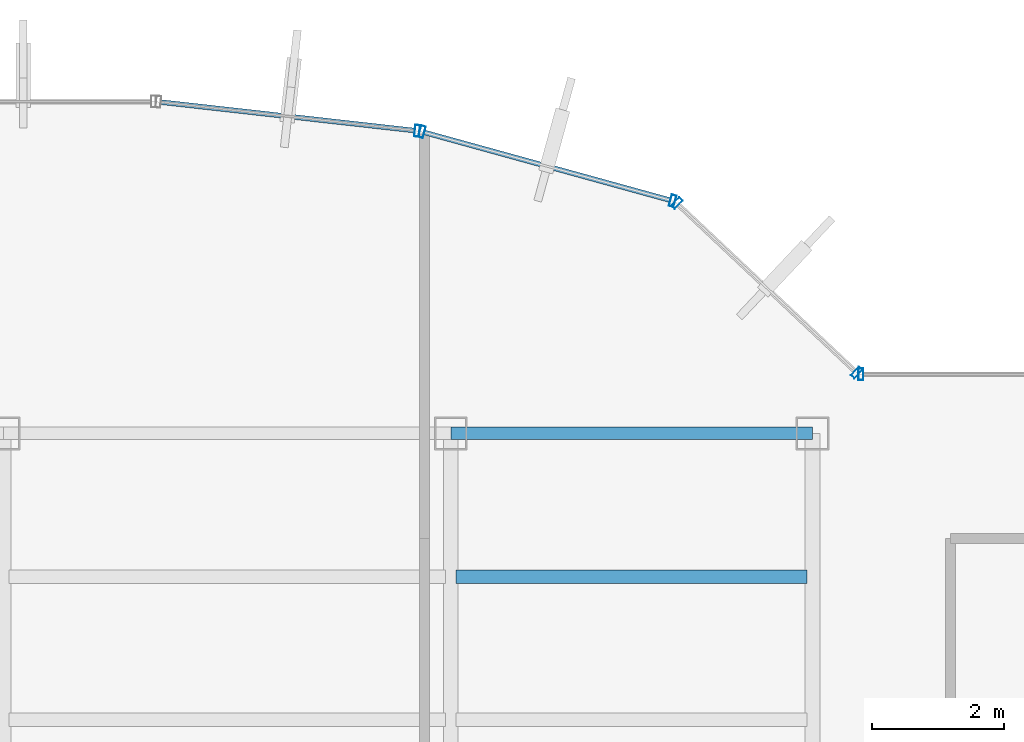
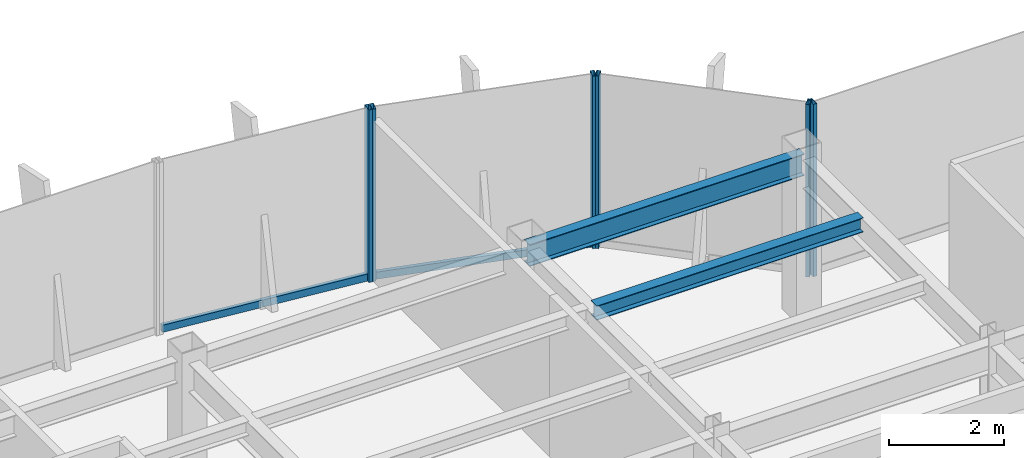
# One storey, part 14 of 22: 8 members, 2 beams, 4 elements without a shape of their own.
"""IFC4 building model written with IfcOpenShell, lengths in metres."""

import ifcopenshell
import ifcopenshell.guid

model = None  # the IFC model being written
_history = None  # IfcOwnerHistory: only IFC2X3 demands one
_inside = {}  # id of a spatial element -> (the spatial element, [elements in it])
_under = {}  # id of a project, library or spatial element -> (it, [spatial elements below it])
_declared = {}  # id of a project -> (the project, [libraries it declares])
_typed = {}  # id of a type object -> (the type object, [elements of that type])
_made_of = {}  # id of a material, layer set ... -> (it, [elements and type objects made of it])


def new_model(schema):
    """Start an empty IFC model of exactly this schema.

    Asked for "IFC4X3", IfcOpenShell would pick the latest addendum, in which some entities
    have other attributes; the version numbers below select the first issue.
    IFC2X3 requires an IfcOwnerHistory on every rooted entity: one is made here for all.
    """
    global model, _history
    if schema == "IFC4X3":
        model = ifcopenshell.file(schema_version=(4, 3, 0, 0))
    else:
        model = ifcopenshell.file(schema=schema)
    _inside.clear()
    _under.clear()
    _declared.clear()
    _typed.clear()
    _made_of.clear()
    _history = None
    if model.schema == "IFC2X3":
        org = make("IfcOrganization", Name="unknown")
        user = make(
            "IfcPersonAndOrganization",
            ThePerson=make("IfcPerson", FamilyName="unknown"),
            TheOrganization=org,
        )
        app = make(
            "IfcApplication",
            ApplicationDeveloper=org,
            Version="unknown",
            ApplicationFullName="unknown",
            ApplicationIdentifier="unknown",
        )
        _history = make(
            "IfcOwnerHistory",
            OwningUser=user,
            OwningApplication=app,
            ChangeAction="ADDED",
            CreationDate=0,
        )
    return model


def make(cls, **values):
    """One entity of the class cls with the attributes given. An attribute that is None is left unset."""
    return model.create_entity(
        cls, **{name: value for name, value in values.items() if value is not None}
    )


def rooted(cls, **values):
    """An entity with a GlobalId (a new one), such as an element, a storey or a relation."""
    return make(cls, GlobalId=ifcopenshell.guid.new(), OwnerHistory=_history, **values)


def si_unit(unit_type, name, prefix=None):
    """IfcSIUnit, for example si_unit("LENGTHUNIT", "METRE", prefix="MILLI")."""
    return make("IfcSIUnit", UnitType=unit_type, Prefix=prefix, Name=name)


def derived_unit(unit_type, elements):
    """IfcDerivedUnit: a product of units, each with its exponent."""
    return make(
        "IfcDerivedUnit",
        Elements=[
            make("IfcDerivedUnitElement", Unit=unit, Exponent=power)
            for unit, power in elements
        ],
        UnitType=unit_type,
    )


def assignment(units):
    """IfcUnitAssignment: the units of a project."""
    return None if units is None else make("IfcUnitAssignment", Units=units)


def point(xyz):
    """IfcCartesianPoint."""
    return None if xyz is None else make("IfcCartesianPoint", Coordinates=xyz)


def direction(xyz):
    """IfcDirection."""
    return None if xyz is None else make("IfcDirection", DirectionRatios=xyz)


def frame(location, z_axis=None, x_axis=None):
    """IfcAxis2Placement3D, a coordinate frame: its origin and axes. An axis left out is left unset."""
    return make(
        "IfcAxis2Placement3D",
        Location=point(location),
        Axis=direction(z_axis),
        RefDirection=direction(x_axis),
    )


def frame_2d(location, x_axis=None):
    """IfcAxis2Placement2D, a coordinate frame in the plane: its origin and x axis."""
    return make(
        "IfcAxis2Placement2D", Location=point(location), RefDirection=direction(x_axis)
    )


def origin():
    """The frame at (0, 0, 0) with its axes left unset."""
    return frame((0.0, 0.0, 0.0))


def origin_2d():
    """The frame at (0, 0) in the plane with its x axis left unset."""
    return frame_2d((0.0, 0.0))


def place(relative_to, where):
    """IfcLocalPlacement: puts the frame where relative to a parent placement (None: the world)."""
    return make(
        "IfcLocalPlacement", PlacementRelTo=relative_to, RelativePlacement=where
    )


def context(
    kind, dimensions, precision=None, world=None, true_north=None, identifier=None
):
    """IfcGeometricRepresentationContext, for example the 3D "Model" context."""
    return make(
        "IfcGeometricRepresentationContext",
        ContextIdentifier=identifier,
        ContextType=kind,
        CoordinateSpaceDimension=dimensions,
        Precision=precision,
        WorldCoordinateSystem=world,
        TrueNorth=true_north,
    )


def subcontext(parent, identifier, kind, view, scale=None):
    """IfcGeometricRepresentationSubContext, for example "Body" below "Model"."""
    return make(
        "IfcGeometricRepresentationSubContext",
        ContextIdentifier=identifier,
        ContextType=kind,
        ParentContext=parent,
        TargetScale=scale,
        TargetView=view,
    )


def project(units=None, contexts=None):
    """IfcProject with its units and contexts."""
    return rooted(
        "IfcProject",
        Name="project",
        RepresentationContexts=contexts,
        UnitsInContext=assignment(units),
    )


def spatial(cls, under=None, at=None, **own):
    """A site, building, storey or space (cls), placed at a placement, below another one or the project."""
    s = rooted(cls, ObjectPlacement=at, **own)
    if under is not None:
        _under.setdefault(under.id(), (under, []))[1].append(s)
    return s


def profile(cls, at=None, kind="AREA", **sizes):
    """A parametric profile (cls). Its sizes go by their IFC names, for example OverallWidth=200.0."""
    return make(cls, ProfileType=kind, Position=at, **sizes)


def hollow_rectangle(**sizes):
    """IfcRectangleHollowProfileDef."""
    return profile("IfcRectangleHollowProfileDef", **sizes)


def i_section(**sizes):
    """IfcIShapeProfileDef."""
    return profile("IfcIShapeProfileDef", **sizes)


def extrude(swept, where, along, depth):
    """IfcExtrudedAreaSolid: the profile swept, set in the frame where, extruded along a direction by depth."""
    return make(
        "IfcExtrudedAreaSolid",
        SweptArea=swept,
        Position=where,
        ExtrudedDirection=direction(along),
        Depth=depth,
    )


def shape(context_of_items, identifier, shape_type, items):
    """IfcShapeRepresentation: the items that make up one representation, for example the "Body"."""
    return make(
        "IfcShapeRepresentation",
        ContextOfItems=context_of_items,
        RepresentationIdentifier=identifier,
        RepresentationType=shape_type,
        Items=items,
    )


def source(mapping_origin, context_of_items, identifier, shape_type, items):
    """IfcRepresentationMap: a shape defined once, which mapped items show again and again."""
    return make(
        "IfcRepresentationMap",
        MappingOrigin=mapping_origin,
        MappedRepresentation=shape(context_of_items, identifier, shape_type, items),
    )


def transform(
    local_origin,
    x_axis=None,
    y_axis=None,
    z_axis=None,
    scale=None,
    scale2=None,
    scale3=None,
    uniform=True,
):
    """IfcCartesianTransformationOperator3D, or its non-uniform kind. x_axis, y_axis, z_axis: its Axis1, 2, 3."""
    if uniform:
        return make(
            "IfcCartesianTransformationOperator3D",
            Axis1=direction(x_axis),
            Axis2=direction(y_axis),
            LocalOrigin=point(local_origin),
            Scale=scale,
            Axis3=direction(z_axis),
        )
    return make(
        "IfcCartesianTransformationOperator3DnonUniform",
        Axis1=direction(x_axis),
        Axis2=direction(y_axis),
        LocalOrigin=point(local_origin),
        Scale=scale,
        Axis3=direction(z_axis),
        Scale2=scale2,
        Scale3=scale3,
    )


def mapped(mapping_source, mapping_target):
    """IfcMappedItem: shows the shape of a source again, moved by a transform."""
    return make(
        "IfcMappedItem", MappingSource=mapping_source, MappingTarget=mapping_target
    )


def material(Name=None, Category=None):
    """IfcMaterial."""
    return make("IfcMaterial", Name=Name, Category=Category)


def material_profile(
    of_material, cross_section, Name=None, Category=None, Priority=None
):
    """IfcMaterialProfile: a cross section and its material."""
    return make(
        "IfcMaterialProfile",
        Name=Name,
        Material=of_material,
        Profile=cross_section,
        Priority=Priority,
        Category=Category,
    )


def profile_set(profiles, Name=None, composite=None):
    """IfcMaterialProfileSet."""
    return make(
        "IfcMaterialProfileSet",
        Name=Name,
        MaterialProfiles=profiles,
        CompositeProfile=composite,
    )


def made_of(thing, what):
    """Note that an element or type object is made of a material, layer set ...; save() writes the relation."""
    if what is not None:
        _made_of.setdefault(what.id(), (what, []))[1].append(thing)
    return thing


def type_object(cls, material=None, **own):
    """A type object (cls), such as IfcWallType, which elements share."""
    return made_of(rooted(cls, **own), material)


def element(
    cls,
    number,
    at=None,
    inside=None,
    cuts=None,
    type_object=None,
    material=None,
    context=None,
    identifier="Body",
    shape_type=None,
    held_by="IfcProductDefinitionShape",
    body=None,
    shapes=None,
    **own,
):
    """One element of the class cls, such as IfcWall. Its Tag is "e" and its number.

    at: its placement. inside: the storey or other place that contains it. cuts: it is an
    opening in that element (IfcRelVoidsElement). A single representation is given by context,
    identifier, shape_type and body (its items); several are given by shapes. held_by: the class
    of the entity that holds the representations. save() writes the other relations.
    """
    e = rooted(cls, Tag="e%d" % number, ObjectPlacement=at, **own)
    if body is not None:
        shapes = [shape(context, identifier, shape_type, body)]
    if shapes is not None:
        e.Representation = make(held_by, Representations=shapes)
    if inside is not None:
        _inside.setdefault(inside.id(), (inside, []))[1].append(e)
    if cuts is not None:
        rooted(
            "IfcRelVoidsElement", RelatingBuildingElement=cuts, RelatedOpeningElement=e
        )
    if type_object is not None:
        _typed.setdefault(type_object.id(), (type_object, []))[1].append(e)
    return made_of(e, material)


def aggregate(whole, parts):
    """IfcRelAggregates: a whole, such as a stair, and the parts it consists of."""
    return rooted("IfcRelAggregates", RelatingObject=whole, RelatedObjects=parts)


def save(model, path):
    """Write the relations noted so far, then the file.

    IfcRelAggregates (storeys below a building ...), IfcRelContainedInSpatialStructure (elements
    in a storey), IfcRelDefinesByType, IfcRelAssociatesMaterial and IfcRelDeclares: one each for
    every whole, place, type object, material and project.
    """
    for whole, parts in _under.values():
        aggregate(whole, parts)
    for where, things in _inside.values():
        rooted(
            "IfcRelContainedInSpatialStructure",
            RelatedElements=things,
            RelatingStructure=where,
        )
    for kind, things in _typed.values():
        rooted("IfcRelDefinesByType", RelatedObjects=things, RelatingType=kind)
    for what, things in _made_of.values():
        rooted("IfcRelAssociatesMaterial", RelatedObjects=things, RelatingMaterial=what)
    for by, libraries in _declared.values():
        rooted("IfcRelDeclares", RelatingContext=by, RelatedDefinitions=libraries)
    model.write(path)


model = new_model("IFC4")

# Units and contexts
model_context = context("Model", 3, precision=1e-05, world=origin(), true_north=direction((0.0, 1.0)))
body_context = subcontext(model_context, "Body", "Model", "MODEL_VIEW")
ifc_project = project(units=[si_unit("LENGTHUNIT", "METRE"), si_unit("AREAUNIT", "SQUARE_METRE"), si_unit("VOLUMEUNIT", "CUBIC_METRE"), si_unit("PLANEANGLEUNIT", "RADIAN"), si_unit("MASSUNIT", "GRAM", prefix="KILO"), derived_unit("THERMALTRANSMITTANCEUNIT", [(si_unit("POWERUNIT", "WATT"), 1), (si_unit("LENGTHUNIT", "METRE"), -2), (si_unit("THERMODYNAMICTEMPERATUREUNIT", "KELVIN"), -1)])], contexts=[model_context])

# Site, building, storey
site_placement = place(None, origin())
site = spatial("IfcSite", under=ifc_project, at=site_placement, CompositionType="ELEMENT")
building_placement = place(site_placement, origin())
building = spatial("IfcBuilding", under=site, at=building_placement, Name="Skarnbrae Concourse Arena and Tower", CompositionType="ELEMENT")
storey_placement = place(building_placement, frame((0.0, 0.0, 280.699951171875)))
storey = spatial("IfcBuildingStorey", under=building, at=storey_placement, Name="L73", CompositionType="ELEMENT", Elevation=280.699951171875)

# Beams
ifc_material_1 = material(Name="Steel CSA G40.21 350W", Category="steel")
ifc_material_profile_1 = material_profile(ifc_material_1, i_section(OverallWidth=0.19091796875, OverallDepth=0.4599609375, WebThickness=0.010009765625, FlangeThickness=0.01611328125, at=origin_2d()), Name="W460X82")
ifc_profile_set_1 = profile_set([ifc_material_profile_1], Name="Steel CSA G40.21 350W")
beam_type_1 = type_object("IfcBeamType", Name="BM-SPAN-W460X82", PredefinedType="SPANDREL", material=ifc_profile_set_1)
shared_shape_1 = source(origin(), body_context, "Body", "SweptSolid", [
    extrude(i_section(OverallWidth=0.19091796875, OverallDepth=0.4599609375, WebThickness=0.010009765625, FlangeThickness=0.01611328125, at=origin_2d()), origin(), (0.0, 0.0, 1.0), 5.5),
])
beam_1_placement = place(storey_placement, frame((28.0, 34.39990234375, 3.170166015625), z_axis=(1.0, 0.0, 0.0), x_axis=(0.0, 1.0, 0.0)))
element("IfcBeam", 1, at=beam_1_placement, inside=storey, type_object=beam_type_1, Name="L73 Perimeter spandrel Y34.4-4", PredefinedType="SPANDREL", context=body_context, shape_type="MappedRepresentation", body=[
    mapped(shared_shape_1, transform((0.0, 0.0, 0.0))),
])
ifc_material_profile_2 = material_profile(ifc_material_1, i_section(OverallWidth=0.202880859375, OverallDepth=0.302978515625, WebThickness=0.007568359375, FlangeThickness=0.01318359375, at=origin_2d()), Name="W310X60")
ifc_profile_set_2 = profile_set([ifc_material_profile_2], Name="Steel CSA G40.21 350W")
beam_type_2 = type_object("IfcBeamType", Name="BM-JOIST-W310X60", PredefinedType="JOIST", material=ifc_profile_set_2)
shared_shape_2 = source(origin(), body_context, "Body", "SweptSolid", [
    extrude(i_section(OverallWidth=0.202880859375, OverallDepth=0.302978515625, WebThickness=0.007568359375, FlangeThickness=0.01318359375, at=origin_2d()), origin(), (0.0, 0.0, 1.0), 5.33984375),
])
beam_2_placement = place(storey_placement, frame((28.080078125, 32.221923828125, 3.24853515625), z_axis=(1.0, 0.0, 0.0), x_axis=(0.0, 1.0, 0.0)))
element("IfcBeam", 2, at=beam_2_placement, inside=storey, type_object=beam_type_2, Name="L73 Secondary floor joist 3.2.4", PredefinedType="JOIST", context=body_context, shape_type="MappedRepresentation", body=[
    mapped(shared_shape_2, transform((0.0, 0.0, 0.0))),
])

# Curtain wall, member
ifc_material_2 = material(Name="Bronze anodised aluminium 6063-T6", Category="aluminium")
curtain_wall_type = type_object("IfcCurtainWallType", Name="CW-SYS-05-HIGHZONE", PredefinedType="USERDEFINED", material=ifc_material_2)
curtain_wall_1_placement = place(storey_placement, origin())
curtain_wall_1 = element("IfcCurtainWall", 3, at=curtain_wall_1_placement, inside=storey, type_object=curtain_wall_type, Name="L73 Unitised curtain wall CW-L73-E09", ObjectType="UNITISED CURTAIN WALL", PredefinedType="USERDEFINED")
ifc_material_profile_3 = material_profile(ifc_material_2, hollow_rectangle(XDim=0.074951171875, YDim=0.14990234375, WallThickness=0.00390625, at=origin_2d()), Name="ALU-TRAN-75X150")
ifc_profile_set_3 = profile_set([ifc_material_profile_3], Name="Bronze anodised aluminium 6063-T6")
member_type_1 = type_object("IfcMemberType", Name="CWT-CW-05", PredefinedType="USERDEFINED", material=ifc_profile_set_3)
shared_shape_3 = source(origin(), body_context, "Body", "SweptSolid", [
    extrude(hollow_rectangle(XDim=0.074951171875, YDim=0.14990234375, WallThickness=0.00390625, at=origin_2d()), origin(), (0.0, 0.0, 1.0), 3.878662109375),
])
member_1_placement = place(storey_placement, frame((31.33740234375, 37.946533203125, 0.074951171875), z_axis=(-0.964042677713, 0.265747465742, 0.0), x_axis=(-0.265747465742, -0.964042677713, 0.0)))
member_1 = element("IfcMember", 4, at=member_1_placement, type_object=member_type_1, Name="CW-L73-E09 Transom 1", ObjectType="TRANSOM", PredefinedType="USERDEFINED", context=body_context, shape_type="MappedRepresentation", body=[
    mapped(shared_shape_3, transform((0.0, 0.0, 0.0))),
])

curtain_wall_2_placement = place(storey_placement, origin())
curtain_wall_2 = element("IfcCurtainWall", 5, at=curtain_wall_2_placement, inside=storey, type_object=curtain_wall_type, Name="L73 Unitised curtain wall CW-L73-E10", ObjectType="UNITISED CURTAIN WALL", PredefinedType="USERDEFINED")
shared_shape_4 = source(origin(), body_context, "Body", "SweptSolid", [
    extrude(hollow_rectangle(XDim=0.074951171875, YDim=0.14990234375, WallThickness=0.00390625, at=origin_2d()), origin(), (0.0, 0.0, 1.0), 3.8837890625),
])
member_2_placement = place(storey_placement, frame((27.451416015625, 39.005615234375, 0.074951171875), z_axis=(-0.993776714154, 0.111390495128, 0.0), x_axis=(-0.111390495128, -0.993776714154, 0.0)))
member_2 = element("IfcMember", 6, at=member_2_placement, type_object=member_type_1, Name="CW-L73-E10 Transom 1", ObjectType="TRANSOM", PredefinedType="USERDEFINED", context=body_context, shape_type="MappedRepresentation", body=[
    mapped(shared_shape_4, transform((0.0, 0.0, 0.0))),
])

curtain_wall_3_placement = place(storey_placement, origin())
curtain_wall_3 = element("IfcCurtainWall", 7, at=curtain_wall_3_placement, inside=storey, type_object=curtain_wall_type, Name="L73 Unitised curtain wall CW-L73-E07", ObjectType="UNITISED CURTAIN WALL", PredefinedType="USERDEFINED")
ifc_material_profile_4 = material_profile(ifc_material_2, hollow_rectangle(XDim=0.074951171875, YDim=0.179931640625, WallThickness=0.00390625, at=origin_2d()), Name="ALU-MULL-75X180")
ifc_profile_set_4 = profile_set([ifc_material_profile_4], Name="Bronze anodised aluminium 6063-T6")
member_type_2 = type_object("IfcMemberType", Name="CWM-CW-05", PredefinedType="MULLION", material=ifc_profile_set_4)
shared_shape_5 = source(origin(), body_context, "Body", "SweptSolid", [
    extrude(hollow_rectangle(XDim=0.074951171875, YDim=0.179931640625, WallThickness=0.00390625, at=origin_2d()), origin(), (0.0, 0.0, 1.0), 3.650146484375),
])
member_3_placement = place(storey_placement, frame((34.237548828125, 35.300048828125, 0.0), z_axis=(0.0, 0.0, 1.0), x_axis=(-1.0, 0.0, 0.0)))
member_3 = element("IfcMember", 8, at=member_3_placement, type_object=member_type_2, Name="CW-L73-E07 Mullion 2", PredefinedType="MULLION", context=body_context, shape_type="MappedRepresentation", body=[
    mapped(shared_shape_5, transform((0.0, 0.0, 0.0))),
])
aggregate(curtain_wall_3, [member_3])

# Curtain wall, members
curtain_wall_4_placement = place(storey_placement, origin())
curtain_wall_4 = element("IfcCurtainWall", 9, at=curtain_wall_4_placement, inside=storey, type_object=curtain_wall_type, Name="L73 Unitised curtain wall CW-L73-E08", ObjectType="UNITISED CURTAIN WALL", PredefinedType="USERDEFINED")
member_4_placement = place(storey_placement, frame((34.172607421875, 35.32568359375, 0.0), z_axis=(0.0, 0.0, 1.0), x_axis=(-0.728130555214, 0.685438468838, 0.0)))
member_4 = element("IfcMember", 10, at=member_4_placement, type_object=member_type_2, Name="CW-L73-E08 Mullion 1", PredefinedType="MULLION", context=body_context, shape_type="MappedRepresentation", body=[
    mapped(shared_shape_5, transform((0.0, 0.0, 0.0))),
])
member_5_placement = place(storey_placement, frame((31.43701171875, 37.90087890625, 0.0), z_axis=(0.0, 0.0, 1.0), x_axis=(-0.728130555214, 0.685438468838, 0.0)))
member_5 = element("IfcMember", 11, at=member_5_placement, type_object=member_type_2, Name="CW-L73-E08 Mullion 2", PredefinedType="MULLION", context=body_context, shape_type="MappedRepresentation", body=[
    mapped(shared_shape_5, transform((0.0, 0.0, 0.0))),
])
aggregate(curtain_wall_4, [member_4, member_5])

# Member
member_6_placement = place(storey_placement, frame((31.37353515625, 37.936767578125, 0.0), z_axis=(0.0, 0.0, 1.0), x_axis=(-0.964057388766, 0.265694093207, 0.0)))
member_6 = element("IfcMember", 12, at=member_6_placement, type_object=member_type_2, Name="CW-L73-E09 Mullion 1", PredefinedType="MULLION", context=body_context, shape_type="MappedRepresentation", body=[
    mapped(shared_shape_5, transform((0.0, 0.0, 0.0))),
])

member_7_placement = place(storey_placement, frame((27.56201171875, 38.987060546875, 0.0), z_axis=(0.0, 0.0, 1.0), x_axis=(-0.964057388766, 0.265694093207, 0.0)))
member_7 = element("IfcMember", 13, at=member_7_placement, type_object=member_type_2, Name="CW-L73-E09 Mullion 2", PredefinedType="MULLION", context=body_context, shape_type="MappedRepresentation", body=[
    mapped(shared_shape_5, transform((0.0, 0.0, 0.0))),
])

aggregate(curtain_wall_1, [member_6, member_7, member_1])

member_8_placement = place(storey_placement, frame((27.488525390625, 39.001220703125, 0.0), z_axis=(0.0, 0.0, 1.0), x_axis=(-0.993768891873, 0.111460259941, 0.0)))
member_8 = element("IfcMember", 14, at=member_8_placement, type_object=member_type_2, Name="CW-L73-E10 Mullion 1", PredefinedType="MULLION", context=body_context, shape_type="MappedRepresentation", body=[
    mapped(shared_shape_5, transform((0.0, 0.0, 0.0))),
])

aggregate(curtain_wall_2, [member_8, member_2])

save(model, "model.ifc")
